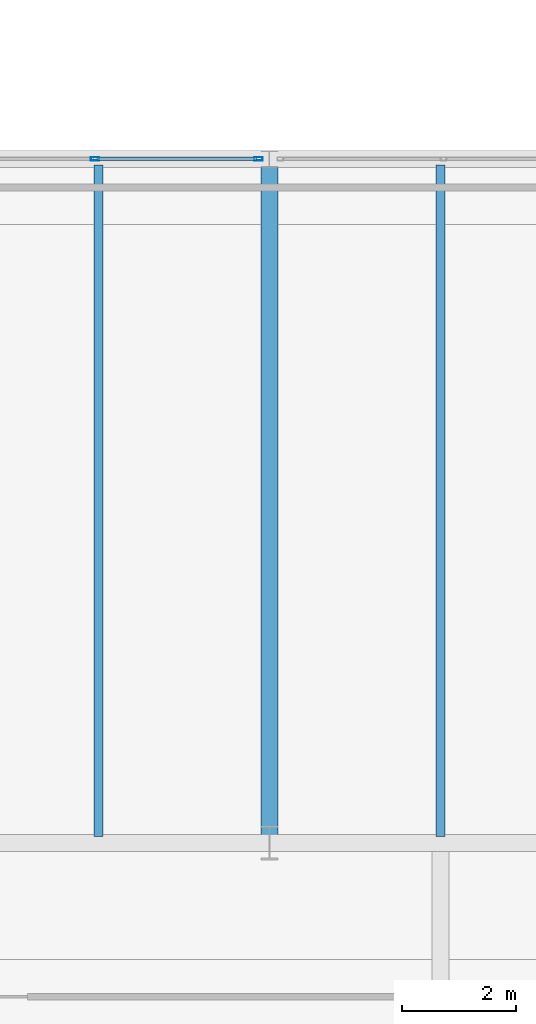
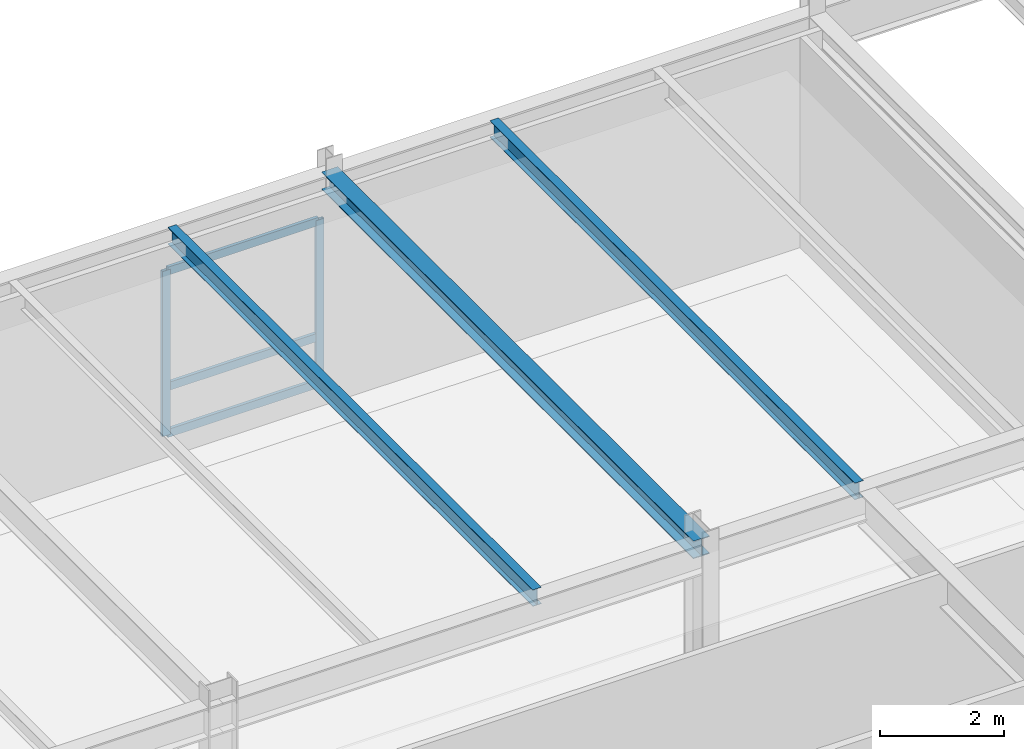
# One storey, part 27 of 127: 5 members, 3 beams, 1 element without a shape of its own.
"""IFC4 building model written with IfcOpenShell, lengths in metres."""

from ifc_helpers import new_model, si_unit, direction, frame, origin, origin_2d, place, context, subcontext, project, spatial, hollow_rectangle, i_section, extrude, material, layer, layer_set, material_profile, profile_set, type_object, element, aggregate, save


model = new_model("IFC4")

# Units and contexts
model_context = context("Model", 3, precision=1e-05, world=origin(), true_north=direction((0.0, 1.0)))
body_context = subcontext(model_context, "Body", "Model", "MODEL_VIEW")
ifc_project = project(units=[si_unit("LENGTHUNIT", "METRE"), si_unit("AREAUNIT", "SQUARE_METRE"), si_unit("VOLUMEUNIT", "CUBIC_METRE"), si_unit("PLANEANGLEUNIT", "RADIAN"), si_unit("MASSUNIT", "GRAM", prefix="KILO")], contexts=[model_context])

# Site, building, storey
site_placement = place(None, origin())
site = spatial("IfcSite", under=ifc_project, at=site_placement, CompositionType="ELEMENT")
building_placement = place(site_placement, origin())
building = spatial("IfcBuilding", under=site, at=building_placement, Name="Montelvaro Courts of Justice", CompositionType="ELEMENT")
storey_placement = place(building_placement, frame((0.0, 0.0, 5.39990234375)))
storey = spatial("IfcBuildingStorey", under=building, at=storey_placement, Name="L01", CompositionType="ELEMENT", Elevation=5.39990234375)

# Beams
ifc_material_1 = material(Name="Steel S355", Category="steel")
ifc_material_profile_1 = material_profile(ifc_material_1, i_section(OverallWidth=0.300048828125, OverallDepth=0.35009765625, WebThickness=0.010009765625, FlangeThickness=0.017578125, at=origin_2d()), Name="HEA 360")
ifc_profile_set_1 = profile_set([ifc_material_profile_1], Name="Steel S355")
beam_type_1 = type_object("IfcBeamType", Name="Beam_HEA360", PredefinedType="USERDEFINED", material=ifc_profile_set_1)
beam_placement = place(storey_placement, frame((36.0, 42.0, 3.985107421875), z_axis=(0.0, 1.0, 0.0), x_axis=(-1.0, 0.0, 0.0)))
element("IfcBeam", 1, at=beam_placement, inside=storey, type_object=beam_type_1, Name="Beam B-16 L01", ObjectType="GIRDER", PredefinedType="USERDEFINED", context=body_context, shape_type="SweptSolid", body=[
    extrude(i_section(OverallWidth=0.300048828125, OverallDepth=0.35009765625, WebThickness=0.010009765625, FlangeThickness=0.017578125, at=origin_2d()), origin(), (0.0, 0.0, 1.0), 12.0),
])
ifc_material_profile_2 = material_profile(ifc_material_1, i_section(OverallWidth=0.159912109375, OverallDepth=0.330078125, WebThickness=0.007568359375, FlangeThickness=0.011474609375, at=origin_2d()), Name="IPE 330")
ifc_profile_set_2 = profile_set([ifc_material_profile_2], Name="Steel S355")
beam_type_2 = type_object("IfcBeamType", Name="Beam_IPE330", PredefinedType="BEAM", material=ifc_profile_set_2)
for number, where, z_axis, x_axis, name in (
    (2, (33.0, 42.110107421875, 3.9951171875), (0.0, 1.0, 0.0), (-1.0, 0.0, 0.0), "Beam B-06 L01"),
    (3, (39.0, 42.110107421875, 3.9951171875), (0.0, 1.0, 0.0), (-1.0, 0.0, 0.0), "Beam B-06 L01"),
):
    element("IfcBeam", number, at=place(storey_placement, frame(where, z_axis=z_axis, x_axis=x_axis)), inside=storey, type_object=beam_type_2, Name=name, PredefinedType="BEAM", context=body_context, shape_type="SweptSolid", body=[
        extrude(i_section(OverallWidth=0.159912109375, OverallDepth=0.330078125, WebThickness=0.007568359375, FlangeThickness=0.011474609375, at=origin_2d()), origin(), (0.0, 0.0, 1.0), 11.77978515625),
    ])

# Curtain wall, members
ifc_material_2 = material(Name="Anodised aluminium EN AW-6063", Category="aluminium")
ifc_layer = layer(ifc_material_2, 0.159912109375)
ifc_layer_set = layer_set([ifc_layer], Name="Anodised aluminium EN AW-6063")
curtain_wall_type = type_object("IfcCurtainWallType", Name="CurtainWall_18_868x418", PredefinedType="USERDEFINED", material=ifc_layer_set)
curtain_wall_placement = place(storey_placement, origin())
curtain_wall = element("IfcCurtainWall", 4, at=curtain_wall_placement, inside=storey, type_object=curtain_wall_type, Name="Curtain Wall CW-18 (L01)", ObjectType="CURTAIN WALL", PredefinedType="USERDEFINED")
ifc_material_profile_3 = material_profile(ifc_material_2, hollow_rectangle(XDim=0.06005859375, YDim=0.14990234375, WallThickness=0.00390625, at=origin_2d()), Name="ALU-M 60x150")
ifc_profile_set_3 = profile_set([ifc_material_profile_3], Name="Anodised aluminium EN AW-6063")
member_type_1 = type_object("IfcMemberType", Name="CurtainWall_Mullion_60x150", PredefinedType="MULLION", material=ifc_profile_set_3)
member_1_placement = place(storey_placement, frame((35.804931640625, 54.0, 0.0), z_axis=(0.0, 0.0, 1.0), x_axis=(0.0, -1.0, 0.0)))
member_1 = element("IfcMember", 5, at=member_1_placement, type_object=member_type_1, Name="CW-18 mullion 1", PredefinedType="MULLION", context=body_context, shape_type="SweptSolid", body=[
    extrude(hollow_rectangle(XDim=0.06005859375, YDim=0.14990234375, WallThickness=0.00390625, at=origin_2d()), origin(), (0.0, 0.0, 1.0), 3.255126953125),
])
member_2_placement = place(storey_placement, frame((32.941650390625, 54.0, 0.0), z_axis=(0.0, 0.0, 1.0), x_axis=(0.0, -1.0, 0.0)))
member_2 = element("IfcMember", 6, at=member_2_placement, type_object=member_type_1, Name="CW-18 mullion 2", PredefinedType="MULLION", context=body_context, shape_type="SweptSolid", body=[
    extrude(hollow_rectangle(XDim=0.06005859375, YDim=0.14990234375, WallThickness=0.00390625, at=origin_2d()), origin(), (0.0, 0.0, 1.0), 3.255126953125),
])
ifc_material_profile_4 = material_profile(ifc_material_2, hollow_rectangle(XDim=0.06005859375, YDim=0.159912109375, WallThickness=0.00439453125, at=origin_2d()), Name="ALU-T 60x160")
ifc_profile_set_4 = profile_set([ifc_material_profile_4], Name="Anodised aluminium EN AW-6063")
member_type_2 = type_object("IfcMemberType", Name="CurtainWall_Transom_60x160", PredefinedType="USERDEFINED", material=ifc_profile_set_4)
member_3_placement = place(storey_placement, frame((35.77490234375, 54.0, 0.030029296875), z_axis=(-1.0, 0.0, 0.0), x_axis=(0.0, -1.0, 0.0)))
member_3 = element("IfcMember", 7, at=member_3_placement, type_object=member_type_2, Name="CW-18 transom 1.1", ObjectType="TRANSOM", PredefinedType="USERDEFINED", context=body_context, shape_type="SweptSolid", body=[
    extrude(hollow_rectangle(XDim=0.06005859375, YDim=0.159912109375, WallThickness=0.00439453125, at=origin_2d()), origin(), (0.0, 0.0, 1.0), 2.80322265625),
])
member_4_placement = place(storey_placement, frame((35.77490234375, 54.0, 0.9501953125), z_axis=(-1.0, 0.0, 0.0), x_axis=(0.0, -1.0, 0.0)))
member_4 = element("IfcMember", 8, at=member_4_placement, type_object=member_type_2, Name="CW-18 transom 1.2", ObjectType="TRANSOM", PredefinedType="USERDEFINED", context=body_context, shape_type="SweptSolid", body=[
    extrude(hollow_rectangle(XDim=0.06005859375, YDim=0.159912109375, WallThickness=0.00439453125, at=origin_2d()), origin(), (0.0, 0.0, 1.0), 2.80322265625),
])
member_5_placement = place(storey_placement, frame((35.77490234375, 54.0, 3.22509765625), z_axis=(-1.0, 0.0, 0.0), x_axis=(0.0, -1.0, 0.0)))
member_5 = element("IfcMember", 9, at=member_5_placement, type_object=member_type_2, Name="CW-18 transom 1.3", ObjectType="TRANSOM", PredefinedType="USERDEFINED", context=body_context, shape_type="SweptSolid", body=[
    extrude(hollow_rectangle(XDim=0.06005859375, YDim=0.159912109375, WallThickness=0.00439453125, at=origin_2d()), origin(), (0.0, 0.0, 1.0), 2.80322265625),
])
aggregate(curtain_wall, [member_1, member_2, member_3, member_4, member_5])

save(model, "model.ifc")
